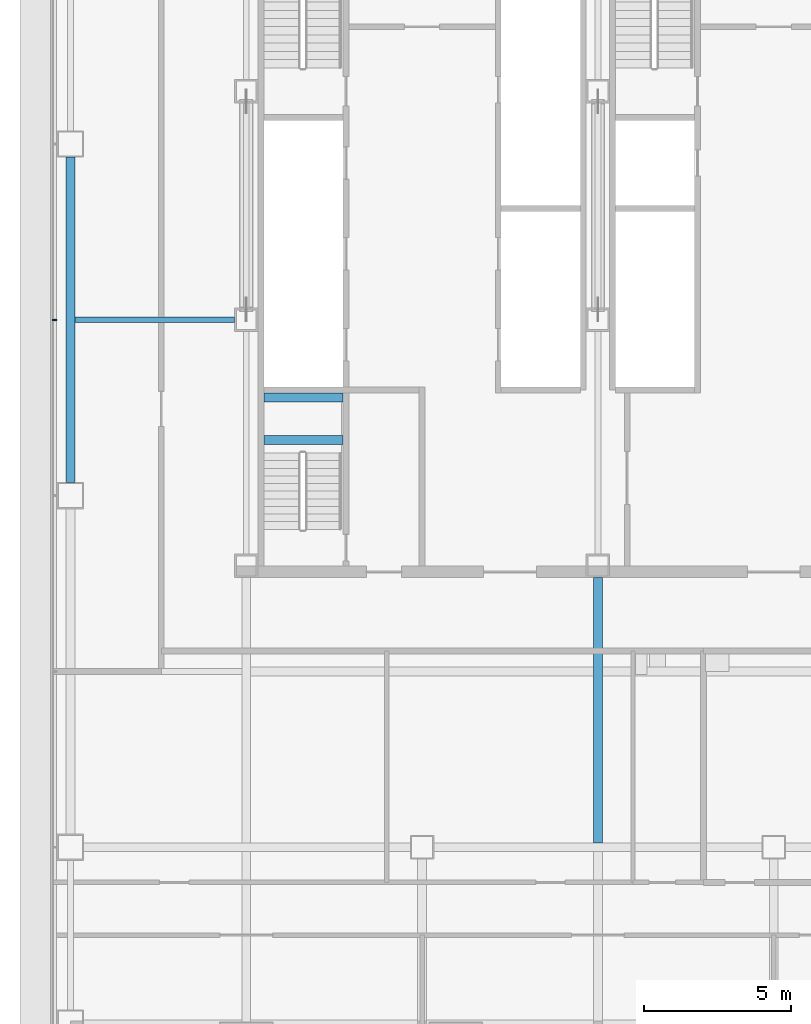
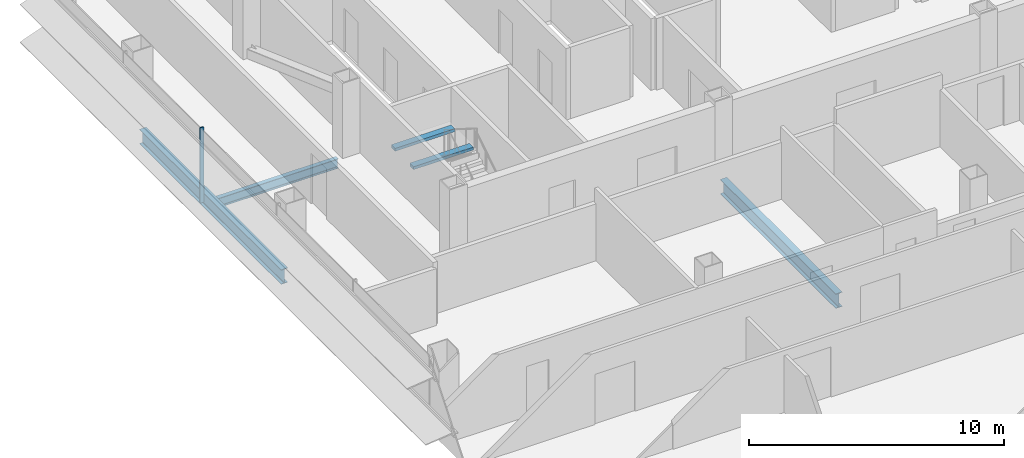
# One storey, part 6 of 26: 5 beams, 1 member, 1 element without a shape of its own.
"""IFC4 building model written with IfcOpenShell, lengths in metres."""

from ifc_helpers import new_model, si_unit, direction, frame, origin, origin_2d, place, context, subcontext, project, spatial, rectangle, i_section, extrude, material, material_profile, profile_set, type_object, element, aggregate, save


model = new_model("IFC4")

# Units and contexts
model_context = context("Model", 3, precision=1e-05, world=origin(), true_north=direction((0.0, 1.0)))
body_context = subcontext(model_context, "Body", "Model", "MODEL_VIEW")
ifc_project = project(units=[si_unit("LENGTHUNIT", "METRE"), si_unit("AREAUNIT", "SQUARE_METRE"), si_unit("VOLUMEUNIT", "CUBIC_METRE"), si_unit("PLANEANGLEUNIT", "RADIAN"), si_unit("MASSUNIT", "GRAM", prefix="KILO")], contexts=[model_context])

# Site, building, storey
site_placement = place(None, origin())
site = spatial("IfcSite", under=ifc_project, at=site_placement, CompositionType="ELEMENT")
building_placement = place(site_placement, origin())
building = spatial("IfcBuilding", under=site, at=building_placement, Name="Sorahane Residences", CompositionType="ELEMENT")
storey_placement = place(building_placement, frame((0.0, 0.0, 67.800048828125)))
storey = spatial("IfcBuildingStorey", under=building, at=storey_placement, Name="L13", CompositionType="ELEMENT", Elevation=67.800048828125)

# Curtain wall, member
ifc_material_1 = material(Name="Dark low-e glass and black anodised aluminium", Category="aluminium")
curtain_wall_type = type_object("IfcCurtainWallType", Name="Curtain wall CW-1 Typical unitised wall", PredefinedType="NOTDEFINED", material=ifc_material_1)
curtain_wall_placement = place(storey_placement, origin())
curtain_wall = element("IfcCurtainWall", 1, at=curtain_wall_placement, inside=storey, type_object=curtain_wall_type, Name="CW-1 curtain wall L13 W1", PredefinedType="NOTDEFINED")
ifc_material_2 = material(Name="Black anodised aluminium", Category="aluminium")
ifc_material_profile_1 = material_profile(ifc_material_2, rectangle(XDim=0.159912109375, YDim=0.050048828125, at=origin_2d()), Name="Curtain wall mullion CW-1 black anodised aluminium 50x160")
ifc_profile_set_1 = profile_set([ifc_material_profile_1], Name="Black anodised aluminium")
member_type = type_object("IfcMemberType", Name="Curtain wall mullion CW-1 black anodised aluminium 50x160", PredefinedType="MULLION", material=ifc_profile_set_1)
member_placement = place(storey_placement, frame((-0.5400390625, 30.0, -0.179931640625), z_axis=(0.0, 0.0, 1.0), x_axis=(-1.0, 0.0, 0.0)))
member = element("IfcMember", 2, at=member_placement, type_object=member_type, Name="CW-1 mullion L13 W1.3", PredefinedType="MULLION", context=body_context, shape_type="SweptSolid", body=[
    extrude(rectangle(XDim=0.159912109375, YDim=0.050048828125, at=origin_2d()), origin(), (0.0, 0.0, 1.0), 3.599853515625),
])
aggregate(curtain_wall, [member])

# Beams
ifc_material_3 = material(Name="Concrete C40", Category="concrete")
ifc_material_profile_2 = material_profile(ifc_material_3, rectangle(XDim=0.300048828125, YDim=0.139892578125, at=origin_2d()), Name="300x140")
ifc_profile_set_2 = profile_set([ifc_material_profile_2], Name="Concrete C40")
beam_type_1 = type_object("IfcBeamType", Name="RC landing beam 300 x 140 Concrete C40", PredefinedType="BEAM", material=ifc_profile_set_2)
for number, where, z_axis, x_axis, name in (
    (3, (6.60009765625, 25.89990234375, 1.530029296875), (1.0, 0.0, 0.0), (0.0, 1.0, 0.0), "Landing beam"),
    (4, (6.60009765625, 27.35009765625, 1.530029296875), (1.0, 0.0, 0.0), (0.0, 1.0, 0.0), "Landing beam"),
):
    element("IfcBeam", number, at=place(storey_placement, frame(where, z_axis=z_axis, x_axis=x_axis)), inside=storey, type_object=beam_type_1, Name=name, PredefinedType="BEAM", context=body_context, shape_type="SweptSolid", body=[
        extrude(rectangle(XDim=0.300048828125, YDim=0.139892578125, at=origin_2d()), origin(), (0.0, 0.0, 1.0), 2.699951171875),
    ])
ifc_material_4 = material(Name="Steel Q355B", Category="steel")
ifc_material_profile_3 = material_profile(ifc_material_4, i_section(OverallWidth=0.199951171875, OverallDepth=0.449951171875, WebThickness=0.009033203125, FlangeThickness=0.013916015625, FilletRadius=0.02001953125, at=origin_2d()), Name="HN 450x200x9x14")
ifc_profile_set_3 = profile_set([ifc_material_profile_3], Name="Steel Q355B")
beam_type_2 = type_object("IfcBeamType", Name="Steel floor beam HN 450x200x9x14 Q355B", PredefinedType="BEAM", material=ifc_profile_set_3)
beam_1_placement = place(storey_placement, frame((0.14990234375, 30.0, -0.405029296875), z_axis=(1.0, 0.0, 0.0), x_axis=(0.0, 1.0, 0.0)))
element("IfcBeam", 5, at=beam_1_placement, inside=storey, type_object=beam_type_2, Name="Beam L13 076", PredefinedType="BEAM", context=body_context, shape_type="SweptSolid", body=[
    extrude(i_section(OverallWidth=0.199951171875, OverallDepth=0.449951171875, WebThickness=0.009033203125, FlangeThickness=0.013916015625, FilletRadius=0.02001953125, at=origin_2d()), origin(), (0.0, 0.0, 1.0), 5.4501953125),
])
ifc_material_5 = material(Name="Steel Q355B", Category="steel")
ifc_material_profile_4 = material_profile(ifc_material_5, i_section(OverallWidth=0.300048828125, OverallDepth=0.699951171875, WebThickness=0.012939453125, FlangeThickness=0.02392578125, FilletRadius=0.028076171875, at=origin_2d()), Name="HN 700x300x13x24")
ifc_profile_set_4 = profile_set([ifc_material_profile_4], Name="Steel Q355B")
beam_type_3 = type_object("IfcBeamType", Name="Steel floor beam HN 700x300x13x24 Q355B", PredefinedType="BEAM", material=ifc_profile_set_4)
beam_2_placement = place(storey_placement, frame((0.0, 24.449951171875, -0.530029296875), z_axis=(0.0, 1.0, 0.0), x_axis=(-1.0, 0.0, 0.0)))
element("IfcBeam", 6, at=beam_2_placement, inside=storey, type_object=beam_type_3, Name="Beam L13 019", PredefinedType="BEAM", context=body_context, shape_type="SweptSolid", body=[
    extrude(i_section(OverallWidth=0.300048828125, OverallDepth=0.699951171875, WebThickness=0.012939453125, FlangeThickness=0.02392578125, FilletRadius=0.028076171875, at=origin_2d()), origin(), (0.0, 0.0, 1.0), 11.10009765625),
])
beam_3_placement = place(storey_placement, frame((18.0, 12.14990234375, -0.530029296875), z_axis=(0.0, 1.0, 0.0), x_axis=(-1.0, 0.0, 0.0)))
element("IfcBeam", 7, at=beam_3_placement, inside=storey, type_object=beam_type_3, Name="Beam L13 030", PredefinedType="BEAM", context=body_context, shape_type="SweptSolid", body=[
    extrude(i_section(OverallWidth=0.300048828125, OverallDepth=0.699951171875, WebThickness=0.012939453125, FlangeThickness=0.02392578125, FilletRadius=0.028076171875, at=origin_2d()), origin(), (0.0, 0.0, 1.0), 9.050048828125),
])

save(model, "model.ifc")
